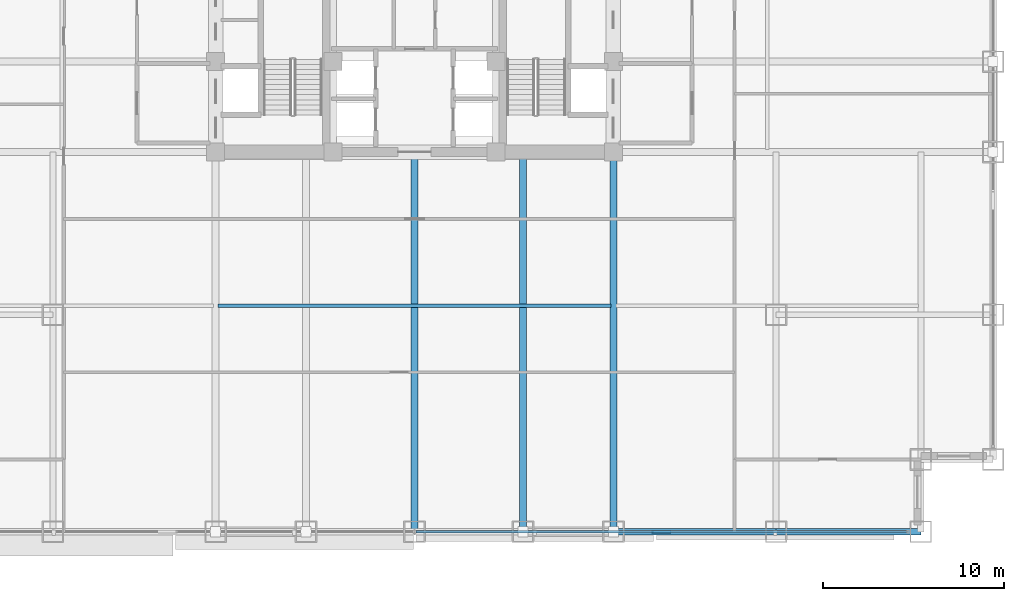
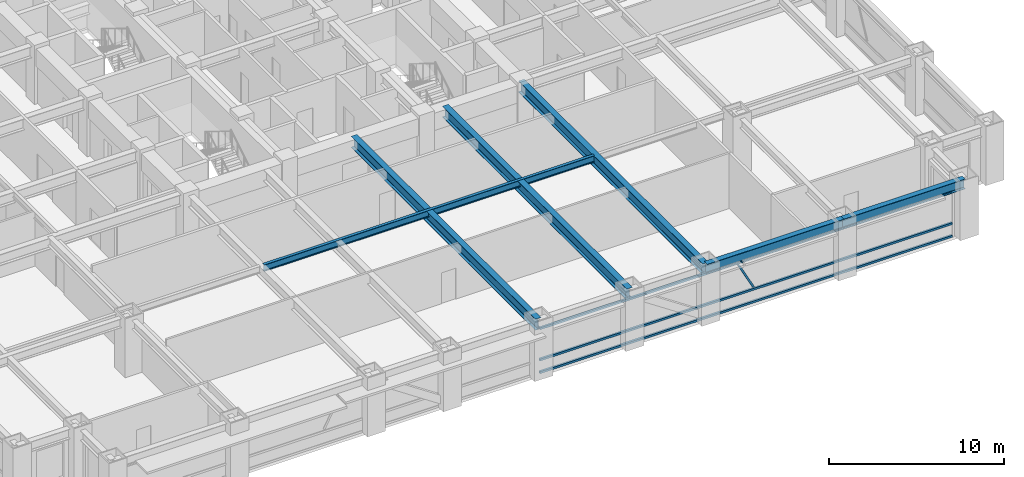
# One storey, part 5 of 32: 6 beams, 4 members, 1 element without a shape of its own.
"""IFC4 building model written with IfcOpenShell, lengths in metres."""

from ifc_helpers import new_model, si_unit, direction, frame, origin, origin_2d, place, context, subcontext, project, spatial, hollow_rectangle, i_section, extrude, source, transform, mapped, material, material_profile, profile_set, type_object, element, aggregate, save


model = new_model("IFC4")

# Units and contexts
model_context = context("Model", 3, precision=1e-05, world=origin(), true_north=direction((0.0, 1.0)))
body_context = subcontext(model_context, "Body", "Model", "MODEL_VIEW")
ifc_project = project(units=[si_unit("LENGTHUNIT", "METRE"), si_unit("AREAUNIT", "SQUARE_METRE"), si_unit("VOLUMEUNIT", "CUBIC_METRE"), si_unit("PLANEANGLEUNIT", "RADIAN"), si_unit("MASSUNIT", "GRAM", prefix="KILO")], contexts=[model_context])

# Site, building, storey
site_placement = place(None, origin())
site = spatial("IfcSite", under=ifc_project, at=site_placement, CompositionType="ELEMENT")
building_placement = place(site_placement, origin())
building = spatial("IfcBuilding", under=site, at=building_placement, Name="Khorayat Bourse Tower", CompositionType="ELEMENT")
storey_placement = place(building_placement, frame((0.0, 0.0, 99.60009765625)))
storey = spatial("IfcBuildingStorey", under=building, at=storey_placement, Name="L22", CompositionType="ELEMENT", Elevation=99.60009765625)

# Beams
ifc_material_1 = material(Name="Steel ASTM A992 Grade 50", Category="steel")
ifc_material_profile_1 = material_profile(ifc_material_1, i_section(OverallWidth=0.35498046875, OverallDepth=0.695068359375, WebThickness=0.015380859375, FlangeThickness=0.02490234375, FilletRadius=0.01806640625, at=origin_2d()), Name="W690X217")
ifc_profile_set_1 = profile_set([ifc_material_profile_1], Name="Steel ASTM A992 Grade 50")
beam_type_1 = type_object("IfcBeamType", Name="BM-SPAN-690", PredefinedType="SPANDREL", material=ifc_profile_set_1)
shared_shape_1 = source(origin(), body_context, "Body", "SweptSolid", [
    extrude(i_section(OverallWidth=0.35498046875, OverallDepth=0.695068359375, WebThickness=0.015380859375, FlangeThickness=0.02490234375, FilletRadius=0.01806640625, at=origin_2d()), origin(), (0.0, 0.0, 1.0), 9.0),
])
beam_1_placement = place(storey_placement, frame((11.0, -32.0, 3.492431640625), z_axis=(1.0, 0.0, 0.0), x_axis=(0.0, 1.0, 0.0)))
element("IfcBeam", 1, at=beam_1_placement, inside=storey, type_object=beam_type_1, Name="L22 BM-SPAN-690 BM-L22-SPN-030", PredefinedType="SPANDREL", context=body_context, shape_type="MappedRepresentation", body=[
    mapped(shared_shape_1, transform((0.0, 0.0, 0.0), scale=1.0)),
])
ifc_material_profile_2 = material_profile(ifc_material_1, i_section(OverallWidth=0.194091796875, OverallDepth=0.468994140625, WebThickness=0.0126953125, FlangeThickness=0.0205078125, FilletRadius=0.012939453125, at=origin_2d()), Name="W460X106")
ifc_profile_set_2 = profile_set([ifc_material_profile_2], Name="Steel ASTM A992 Grade 50")
beam_type_2 = type_object("IfcBeamType", Name="BM-JOIST-460", PredefinedType="JOIST", material=ifc_profile_set_2)
shared_shape_2 = source(origin(), body_context, "Body", "SweptSolid", [
    extrude(i_section(OverallWidth=0.194091796875, OverallDepth=0.468994140625, WebThickness=0.0126953125, FlangeThickness=0.0205078125, FilletRadius=0.012939453125, at=origin_2d()), origin(), (0.0, 0.0, 1.0), 21.740234375),
])
beam_2_placement = place(storey_placement, frame((-10.8701171875, -19.5, 3.60546875), z_axis=(1.0, 0.0, 0.0), x_axis=(0.0, 1.0, 0.0)))
element("IfcBeam", 2, at=beam_2_placement, inside=storey, type_object=beam_type_2, Name="L22 BM-JOIST-460 BM-L22-JSTX-097", PredefinedType="JOIST", context=body_context, shape_type="MappedRepresentation", body=[
    mapped(shared_shape_2, transform((0.0, 0.0, 0.0), scale=1.0)),
])
shared_shape_3 = source(origin(), body_context, "Body", "SweptSolid", [
    extrude(i_section(OverallWidth=0.35498046875, OverallDepth=0.695068359375, WebThickness=0.015380859375, FlangeThickness=0.02490234375, FilletRadius=0.01806640625, at=origin_2d()), origin(), (0.0, 0.0, 1.0), 8.0),
])
beam_3_placement = place(storey_placement, frame((20.0, -32.0, 3.492431640625), z_axis=(1.0, 0.0, 0.0), x_axis=(0.0, 1.0, 0.0)))
element("IfcBeam", 3, at=beam_3_placement, inside=storey, type_object=beam_type_1, Name="L22 BM-SPAN-690 BM-L22-SPN-031", PredefinedType="SPANDREL", context=body_context, shape_type="MappedRepresentation", body=[
    mapped(shared_shape_3, transform((0.0, 0.0, 0.0), scale=1.0)),
])
ifc_material_profile_3 = material_profile(ifc_material_1, i_section(OverallWidth=0.381103515625, OverallDepth=0.77294921875, WebThickness=0.0166015625, FlangeThickness=0.027587890625, FilletRadius=0.01806640625, at=origin_2d()), Name="W760X257")
ifc_profile_set_3 = profile_set([ifc_material_profile_3], Name="Steel ASTM A992 Grade 50")
beam_type_3 = type_object("IfcBeamType", Name="BM-GIRD-760", PredefinedType="BEAM", material=ifc_profile_set_3)
shared_shape_4 = source(origin(), body_context, "Body", "SweptSolid", [
    extrude(i_section(OverallWidth=0.381103515625, OverallDepth=0.77294921875, WebThickness=0.0166015625, FlangeThickness=0.027587890625, FilletRadius=0.01806640625, at=origin_2d()), origin(), (0.0, 0.0, 1.0), 21.0),
])
for number, where, z_axis, x_axis, name in (
    (4, (0.0, -32.0, 3.453369140625), (0.0, 1.0, 0.0), (-1.0, 0.0, 0.0), "L22 BM-GIRD-760 BM-L22-RADY-069"),
    (5, (6.0, -32.0, 3.453369140625), (0.0, 1.0, 0.0), (-1.0, 0.0, 0.0), "L22 BM-GIRD-760 BM-L22-RADY-071"),
    (6, (11.0, -32.0, 3.453369140625), (0.0, 1.0, 0.0), (-1.0, 0.0, 0.0), "L22 BM-GIRD-760 BM-L22-RADY-073"),
):
    element("IfcBeam", number, at=place(storey_placement, frame(where, z_axis=z_axis, x_axis=x_axis)), inside=storey, type_object=beam_type_3, Name=name, PredefinedType="BEAM", context=body_context, shape_type="MappedRepresentation", body=[
        mapped(shared_shape_4, transform((0.0, 0.0, 0.0), scale=1.0)),
    ])

# Curtain wall, members
ifc_material_2 = material(Name="Aluminium EN AW-6063 T6", Category="aluminium")
curtain_wall_type = type_object("IfcCurtainWallType", Name="CW-SYS-02", PredefinedType="NOTDEFINED", material=ifc_material_2)
curtain_wall_placement = place(storey_placement, origin())
curtain_wall = element("IfcCurtainWall", 7, at=curtain_wall_placement, inside=storey, type_object=curtain_wall_type, Name="L22 Curtain Wall CW-L22-S1", PredefinedType="NOTDEFINED")
ifc_material_profile_4 = material_profile(ifc_material_2, hollow_rectangle(XDim=0.139892578125, YDim=0.139892578125, WallThickness=0.006103515625, at=origin_2d()), Name="ALU 140x140x6")
ifc_profile_set_4 = profile_set([ifc_material_profile_4], Name="Aluminium EN AW-6063 T6")
member_type_1 = type_object("IfcMemberType", Name="CWT-HORZ-140", PredefinedType="USERDEFINED", material=ifc_profile_set_4)
shared_shape_5 = source(origin(), body_context, "Body", "SweptSolid", [
    extrude(hollow_rectangle(XDim=0.139892578125, YDim=0.139892578125, WallThickness=0.006103515625, at=origin_2d()), origin(), (0.0, 0.0, 1.0), 27.139892578125),
])
member_1_placement = place(storey_placement, frame((0.070068359375, -32.0, 0.06982421875), z_axis=(1.0, 0.0, 0.0), x_axis=(0.0, 1.0, 0.0)))
member_1 = element("IfcMember", 8, at=member_1_placement, type_object=member_type_1, Name="CW-L22-S1 Horizontal Transom 2-1", ObjectType="TRANSOM", PredefinedType="USERDEFINED", context=body_context, shape_type="MappedRepresentation", body=[
    mapped(shared_shape_5, transform((0.0, 0.0, 0.0), scale=1.0)),
])
member_2_placement = place(storey_placement, frame((0.070068359375, -32.0, 0.949951171875), z_axis=(1.0, 0.0, 0.0), x_axis=(0.0, 1.0, 0.0)))
member_2 = element("IfcMember", 9, at=member_2_placement, type_object=member_type_1, Name="CW-L22-S1 Horizontal Transom 2-2", ObjectType="TRANSOM", PredefinedType="USERDEFINED", context=body_context, shape_type="MappedRepresentation", body=[
    mapped(shared_shape_5, transform((0.0, 0.0, 0.0), scale=1.0)),
])
member_3_placement = place(storey_placement, frame((0.070068359375, -32.0, 3.119873046875), z_axis=(1.0, 0.0, 0.0), x_axis=(0.0, 1.0, 0.0)))
member_3 = element("IfcMember", 10, at=member_3_placement, type_object=member_type_1, Name="CW-L22-S1 Horizontal Transom 2-3", ObjectType="TRANSOM", PredefinedType="USERDEFINED", context=body_context, shape_type="MappedRepresentation", body=[
    mapped(shared_shape_5, transform((0.0, 0.0, 0.0), scale=1.0)),
])
ifc_material_profile_5 = material_profile(ifc_material_2, hollow_rectangle(XDim=0.1201171875, YDim=0.1201171875, WallThickness=0.0048828125, at=origin_2d()), Name="ALU 120x120x5")
ifc_profile_set_5 = profile_set([ifc_material_profile_5], Name="Aluminium EN AW-6063 T6")
member_type_2 = type_object("IfcMemberType", Name="CWM-DIAG-120", PredefinedType="MULLION", material=ifc_profile_set_5)
shared_shape_6 = source(origin(), body_context, "Body", "SweptSolid", [
    extrude(hollow_rectangle(XDim=0.1201171875, YDim=0.1201171875, WallThickness=0.0048828125, at=origin_2d()), origin(), (0.0, 0.0, 1.0), 2.11328125),
])
member_4_placement = place(storey_placement, frame((14.132080078125, -32.0, 1.099853515625), z_axis=(-0.465694055905, 0.0, 0.884945787207), x_axis=(0.0, -1.0, 0.0)))
member_4 = element("IfcMember", 11, at=member_4_placement, type_object=member_type_2, Name="CW-L22-S1 Faceted Diagonal Mullion 2", PredefinedType="MULLION", context=body_context, shape_type="MappedRepresentation", body=[
    mapped(shared_shape_6, transform((0.0, 0.0, 0.0), scale=1.0)),
])
aggregate(curtain_wall, [member_1, member_2, member_3, member_4])

save(model, "model.ifc")
